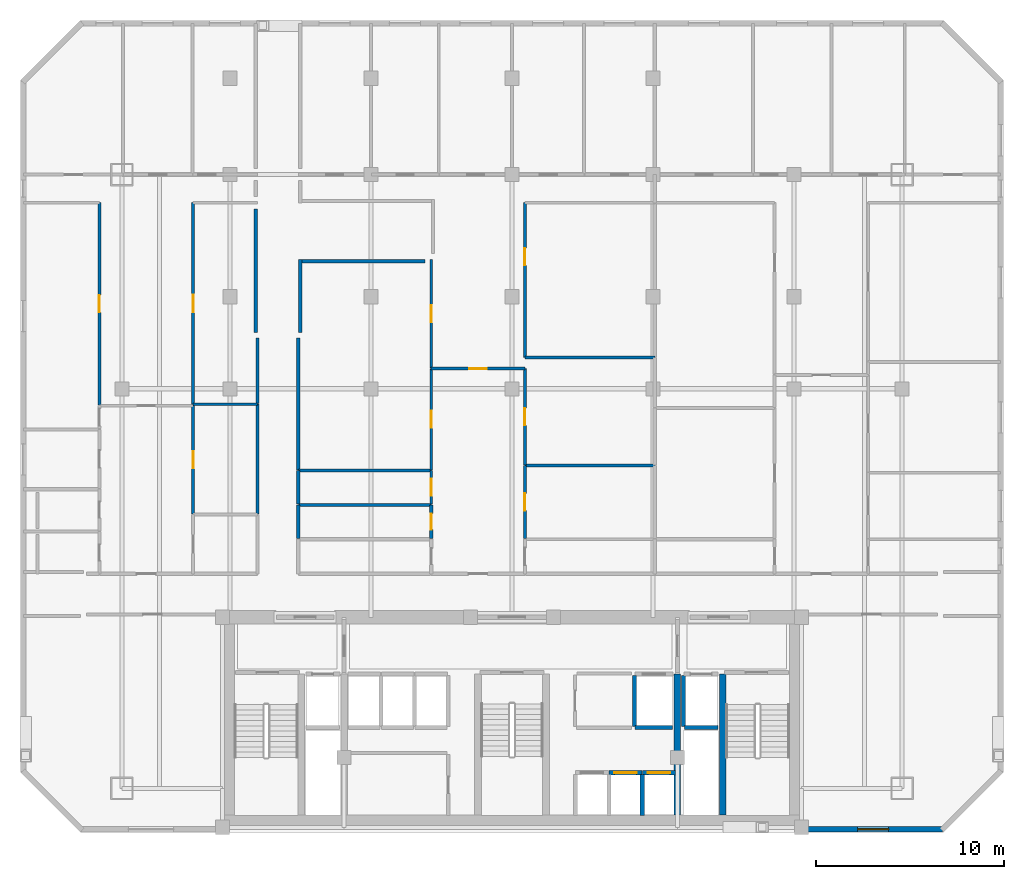
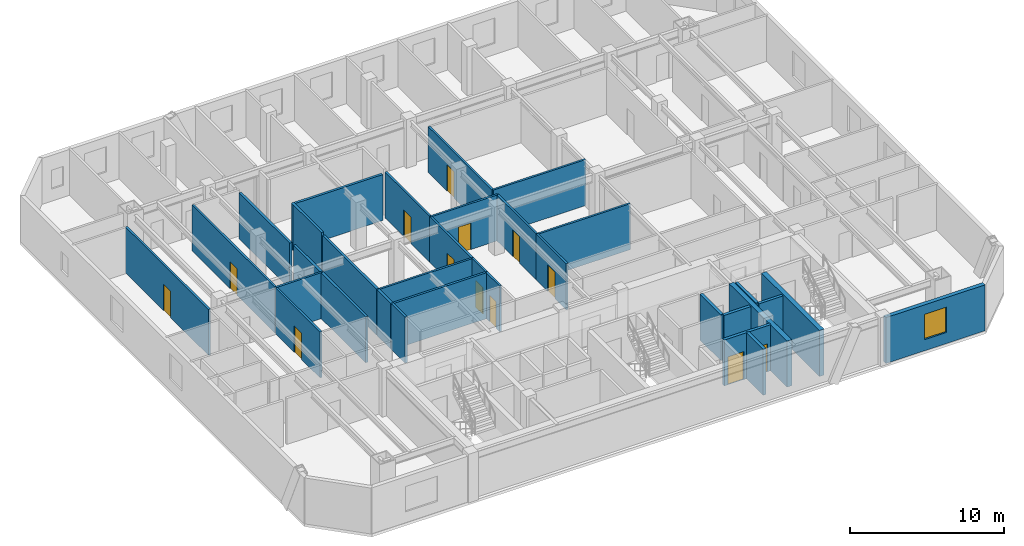
# One storey, part 4 of 8: 34 walls, 13 doors, 1 window, 14 openings.
"""IFC4 building model written with IfcOpenShell, lengths in metres."""

from ifc_helpers import new_model, si_unit, direction, frame, frame_2d, origin, place, context, subcontext, project, spatial, rectangle, extrude, material, layer, layer_set, type_object, element, fill, save


model = new_model("IFC4")

# Units and contexts
model_context = context("Model", 3, precision=1e-05, world=origin(), true_north=direction((0.0, 1.0)))
body_context = subcontext(model_context, "Body", "Model", "MODEL_VIEW")
ifc_project = project(units=[si_unit("LENGTHUNIT", "METRE"), si_unit("AREAUNIT", "SQUARE_METRE"), si_unit("VOLUMEUNIT", "CUBIC_METRE"), si_unit("PLANEANGLEUNIT", "RADIAN"), si_unit("MASSUNIT", "GRAM", prefix="KILO")], contexts=[model_context])

# Site, building, storey
site_placement = place(None, origin())
site = spatial("IfcSite", under=ifc_project, at=site_placement, CompositionType="ELEMENT")
building_placement = place(site_placement, origin())
building = spatial("IfcBuilding", under=site, at=building_placement, Name="Ventersveld Concourse Tower", CompositionType="ELEMENT")
storey_placement = place(building_placement, frame((0.0, 0.0, 149.050048828125)))
storey = spatial("IfcBuildingStorey", under=building, at=storey_placement, Name="L36", CompositionType="ELEMENT", Elevation=149.050048828125)

# Walls
ifc_material_1 = material(Name="Concrete C60/75", Category="concrete")
ifc_layer_1 = layer(ifc_material_1, 0.35009765625)
ifc_layer_set_1 = layer_set([ifc_layer_1], Name="Concrete C60/75")
wall_type_1 = type_object("IfcWallType", Name="WL-CORE-350L", PredefinedType="SHEAR", material=ifc_layer_set_1)
for number, where, z_axis, x_axis, name in (
    (1, (37.550048828125, 0.919921875, 0.0), (0.0, 0.0, 1.0), (0.0, 1.0, 0.0), "L36 Core Internal Shear Web W-SVL-W"),
    (2, (39.9599609375, 0.919921875, 0.0), (0.0, 0.0, 1.0), (0.0, 1.0, 0.0), "L36 Core Internal Shear Web W-ST2-W"),
):
    element("IfcWall", number, at=place(storey_placement, frame(where, z_axis=z_axis, x_axis=x_axis)), inside=storey, type_object=wall_type_1, Name=name, PredefinedType="SHEAR", context=body_context, shape_type="SweptSolid", body=[
        extrude(rectangle(XDim=7.5, YDim=0.35009765625, at=frame_2d((3.75, 0.0))), origin(), (0.0, 0.0, 1.0), 3.6298828125),
    ])
ifc_material_2 = material(Name="Fire-rated autoclaved aerated masonry blockwork", Category="masonry")
ifc_layer_2 = layer(ifc_material_2, 0.179931640625)
ifc_layer_set_2 = layer_set([ifc_layer_2], Name="Fire-rated autoclaved aerated masonry blockwork")
wall_type_2 = type_object("IfcWallType", Name="WL-CORR-180", PredefinedType="PARTITIONING", material=ifc_layer_set_2)
wall_1_placement = place(storey_placement, frame((15.2099609375, 16.944091796875, 0.0), z_axis=(0.0, 0.0, 1.0), x_axis=(0.0, 1.0, 0.0)))
element("IfcWall", 3, at=wall_1_placement, inside=storey, type_object=wall_type_2, Name="L36 Interior Partition SP-L36-COR-SP-L36-36NW-MEDR1", PredefinedType="PARTITIONING", context=body_context, shape_type="SweptSolid", body=[
    extrude(rectangle(XDim=5.83837890625, YDim=0.179931640625, at=frame_2d((2.919189453125, 0.0))), origin(), (0.0, 0.0, 1.0), 3.6298828125),
])
wall_2_placement = place(storey_placement, frame((15.2099609375, 22.8125, 0.0), z_axis=(0.0, 0.0, 1.0), x_axis=(0.0, 1.0, 0.0)))
element("IfcWall", 4, at=wall_2_placement, inside=storey, type_object=wall_type_2, Name="L36 Interior Partition SP-L36-COR-SP-L36-36NW-DENS", PredefinedType="PARTITIONING", context=body_context, shape_type="SweptSolid", body=[
    extrude(rectangle(XDim=3.482421875, YDim=0.179931640625, at=frame_2d((1.7412109375, 0.0))), origin(), (0.0, 0.0, 1.0), 3.6298828125),
])
wall_3_placement = place(storey_placement, frame((17.389892578125, 15.635009765625, 0.0), z_axis=(0.0, 0.0, 1.0), x_axis=(0.0, 1.0, 0.0)))
element("IfcWall", 5, at=wall_3_placement, inside=storey, type_object=wall_type_2, Name="L36 Interior Partition SP-L36-COR-SP-L36-36N1-PWDL2", PredefinedType="PARTITIONING", context=body_context, shape_type="SweptSolid", body=[
    extrude(rectangle(XDim=1.800048828125, YDim=0.179931640625, at=frame_2d((0.89990234375, 0.0))), origin(), (0.0, 0.0, 1.0), 3.6298828125),
])
wall_4_placement = place(storey_placement, frame((17.389892578125, 17.465087890625, 0.0), z_axis=(0.0, 0.0, 1.0), x_axis=(0.0, 1.0, 0.0)))
element("IfcWall", 6, at=wall_4_placement, inside=storey, type_object=wall_type_2, Name="L36 Interior Partition SP-L36-COR-SP-L36-36N1-PANL0", PredefinedType="PARTITIONING", context=body_context, shape_type="SweptSolid", body=[
    extrude(rectangle(XDim=1.7998046875, YDim=0.179931640625, at=frame_2d((0.89990234375, 0.0))), origin(), (0.0, 0.0, 1.0), 3.6298828125),
])
wall_5_placement = place(storey_placement, frame((17.389892578125, 19.294921875, 0.0), z_axis=(0.0, 0.0, 1.0), x_axis=(0.0, 1.0, 0.0)))
element("IfcWall", 7, at=wall_5_placement, inside=storey, type_object=wall_type_2, Name="L36 Interior Partition SP-L36-COR-SP-L36-36N1-DENL", PredefinedType="PARTITIONING", context=body_context, shape_type="SweptSolid", body=[
    extrude(rectangle(XDim=7.0, YDim=0.179931640625, at=frame_2d((3.5, 0.0))), origin(), (0.0, 0.0, 1.0), 3.6298828125),
])
wall_6_placement = place(storey_placement, frame((15.1201171875, 33.175048828125, 0.0), z_axis=(0.0, 0.0, 1.0), x_axis=(0.0, -1.0, 0.0)))
element("IfcWall", 8, at=wall_6_placement, inside=storey, type_object=wall_type_2, Name="L36 Room Enclosure Wall SP-L36-36NW-DENS", PredefinedType="PARTITIONING", context=body_context, shape_type="SweptSolid", body=[
    extrude(rectangle(XDim=6.565185546875, YDim=0.179931640625, at=frame_2d((3.28271484375, 0.0))), origin(), (0.0, 0.0, 1.0), 3.6298828125),
])
wall_7_placement = place(storey_placement, frame((17.385009765625, 30.38818359375, 0.0), z_axis=(0.0, 0.0, 1.0), x_axis=(1.0, 0.0, 0.0)))
element("IfcWall", 9, at=wall_7_placement, inside=storey, type_object=wall_type_2, Name="L36 Room Enclosure Wall SP-L36-36N1-DENL", PredefinedType="PARTITIONING", context=body_context, shape_type="SweptSolid", body=[
    extrude(rectangle(XDim=6.7451171875, YDim=0.179931640625, at=frame_2d((3.37255859375, 0.0))), origin(), (0.0, 0.0, 1.0), 3.6298828125),
])
wall_8_placement = place(storey_placement, frame((17.47998046875, 26.60986328125, 0.0), z_axis=(0.0, 0.0, 1.0), x_axis=(0.0, 1.0, 0.0)))
element("IfcWall", 10, at=wall_8_placement, inside=storey, type_object=wall_type_2, Name="L36 Room Enclosure Wall SP-L36-36N1-DENL", PredefinedType="PARTITIONING", context=body_context, shape_type="SweptSolid", body=[
    extrude(rectangle(XDim=3.873291015625, YDim=0.179931640625, at=frame_2d((1.9365234375, 0.0))), origin(), (0.0, 0.0, 1.0), 3.6298828125),
])
ifc_layer_3 = layer(ifc_material_2, 0.219970703125)
ifc_layer_set_3 = layer_set([ifc_layer_3], Name="Fire-rated autoclaved aerated masonry blockwork")
wall_type_3 = type_object("IfcWallType", Name="WL-HOIST-220", PredefinedType="SOLIDWALL", material=ifc_layer_set_3)
wall_9_placement = place(storey_placement, frame((37.919921875, 5.590087890625, 0.0), z_axis=(0.0, 0.0, 1.0), x_axis=(1.0, 0.0, 0.0)))
element("IfcWall", 11, at=wall_9_placement, inside=storey, type_object=wall_type_3, Name="L36 Lift Hoistway Back Wall FFL-02", PredefinedType="SOLIDWALL", context=body_context, shape_type="SweptSolid", body=[
    extrude(rectangle(XDim=1.780029296875, YDim=0.219970703125, at=frame_2d((0.89013671875, 0.0))), origin(), (0.0, 0.0, 1.0), 3.6298828125),
])
wall_10_placement = place(storey_placement, frame((37.8798828125, 5.64990234375, 0.0), z_axis=(0.0, 0.0, 1.0), x_axis=(0.0, 1.0, 0.0)))
element("IfcWall", 12, at=wall_10_placement, inside=storey, type_object=wall_type_3, Name="L36 Lift Hoistway Side Wall FFL-02W", PredefinedType="SOLIDWALL", context=body_context, shape_type="SweptSolid", body=[
    extrude(rectangle(XDim=2.7001953125, YDim=0.219970703125, at=frame_2d((1.35009765625, 0.0))), origin(), (0.0, 0.0, 1.0), 3.6298828125),
])
wall_11_placement = place(storey_placement, frame((35.300048828125, 5.590087890625, 0.0), z_axis=(0.0, 0.0, 1.0), x_axis=(1.0, 0.0, 0.0)))
element("IfcWall", 13, at=wall_11_placement, inside=storey, type_object=wall_type_3, Name="L36 Lift Hoistway Back Wall SVL-01", PredefinedType="SOLIDWALL", context=body_context, shape_type="SweptSolid", body=[
    extrude(rectangle(XDim=2.0, YDim=0.219970703125, at=frame_2d((1.0, 0.0))), origin(), (0.0, 0.0, 1.0), 3.6298828125),
])
wall_12_placement = place(storey_placement, frame((35.260009765625, 5.64990234375, 0.0), z_axis=(0.0, 0.0, 1.0), x_axis=(0.0, 1.0, 0.0)))
element("IfcWall", 14, at=wall_12_placement, inside=storey, type_object=wall_type_3, Name="L36 Lift Hoistway Side Wall SVL-01W", PredefinedType="SOLIDWALL", context=body_context, shape_type="SweptSolid", body=[
    extrude(rectangle(XDim=2.7001953125, YDim=0.219970703125, at=frame_2d((1.35009765625, 0.0))), origin(), (0.0, 0.0, 1.0), 3.6298828125),
])
wall_13_placement = place(storey_placement, frame((35.679931640625, 0.89990234375, 0.0), z_axis=(0.0, 0.0, 1.0), x_axis=(0.0, 1.0, 0.0)))
element("IfcWall", 15, at=wall_13_placement, inside=storey, type_object=wall_type_3, Name="L36 Lift Hoistway Side Wall PM-02E", PredefinedType="SOLIDWALL", context=body_context, shape_type="SweptSolid", body=[
    extrude(rectangle(XDim=2.2001953125, YDim=0.219970703125, at=frame_2d((1.10009765625, 0.0))), origin(), (0.0, 0.0, 1.0), 3.6298828125),
])

# Wall, opening, door
wall_14_placement = place(storey_placement, frame((33.919921875, 3.179931640625, 0.0), z_axis=(0.0, 0.0, 1.0), x_axis=(1.0, 0.0, 0.0)))
wall_14 = element("IfcWall", 16, at=wall_14_placement, inside=storey, type_object=wall_type_3, Name="L36 Lift Hoistway Front Wall PM-02", PredefinedType="SOLIDWALL", context=body_context, shape_type="SweptSolid", body=[
    extrude(rectangle(XDim=1.739990234375, YDim=0.219970703125, at=frame_2d((0.8701171875, 0.0))), origin(), (0.0, 0.0, 1.0), 3.6298828125),
])
opening_1_placement = place(wall_14_placement, frame((0.280029296875, 0.0, 0.0)))
opening_1 = element("IfcOpeningElement", 17, at=opening_1_placement, cuts=wall_14, Name="Opening LD2", PredefinedType="OPENING", context=body_context, shape_type="SweptSolid", body=[
    extrude(rectangle(XDim=1.179931640625, YDim=2.199951171875, at=frame_2d((0.58984375, 1.10009765625))), frame((0.0, 0.1201171875, 0.0), z_axis=(0.0, -1.0, 0.0), x_axis=(1.0, 0.0, 0.0)), (0.0, 0.0, 1.0), 0.239990234375),
])
ifc_material_3 = material(Name="Brushed stainless steel 316", Category="steel")
door_type_1 = type_object("IfcDoorType", Name="LD-PAX-118", OperationType="SLIDING_TO_LEFT", PredefinedType="DOOR", material=ifc_material_3)
door_1_placement = place(opening_1_placement, origin())
door_1 = element("IfcDoor", 18, at=door_1_placement, inside=storey, type_object=door_type_1, Name="L36 Lift landing door PM-02 (LD-L36-PM-02)", OperationType="SLIDING_TO_LEFT", OverallHeight=2.199951171875, OverallWidth=1.179931640625, PredefinedType="DOOR", context=body_context, shape_type="SweptSolid", body=[
    extrude(rectangle(XDim=1.179931640625, YDim=2.199951171875, at=frame_2d((0.58984375, 1.10009765625))), frame((0.0, 0.02490234375, 0.0), z_axis=(0.0, -1.0, 0.0), x_axis=(1.0, 0.0, 0.0)), (0.0, 0.0, 1.0), 0.050048828125),
])
fill(opening_1, door_1)

wall_15_placement = place(storey_placement, frame((35.699951171875, 3.179931640625, 0.0), z_axis=(0.0, 0.0, 1.0), x_axis=(1.0, 0.0, 0.0)))
wall_15 = element("IfcWall", 19, at=wall_15_placement, inside=storey, type_object=wall_type_3, Name="L36 Lift Hoistway Front Wall PM-03", PredefinedType="SOLIDWALL", context=body_context, shape_type="SweptSolid", body=[
    extrude(rectangle(XDim=1.739990234375, YDim=0.219970703125, at=frame_2d((0.8701171875, 0.0))), origin(), (0.0, 0.0, 1.0), 3.6298828125),
])
opening_2_placement = place(wall_15_placement, frame((0.280029296875, 0.0, 0.0)))
opening_2 = element("IfcOpeningElement", 20, at=opening_2_placement, cuts=wall_15, Name="Opening LD2", PredefinedType="OPENING", context=body_context, shape_type="SweptSolid", body=[
    extrude(rectangle(XDim=1.179931640625, YDim=2.199951171875, at=frame_2d((0.58984375, 1.10009765625))), frame((0.0, 0.1201171875, 0.0), z_axis=(0.0, -1.0, 0.0), x_axis=(1.0, 0.0, 0.0)), (0.0, 0.0, 1.0), 0.239990234375),
])
door_2_placement = place(opening_2_placement, origin())
door_2 = element("IfcDoor", 21, at=door_2_placement, inside=storey, type_object=door_type_1, Name="L36 Lift landing door PM-03 (LD-L36-PM-03)", OperationType="SLIDING_TO_RIGHT", OverallHeight=2.199951171875, OverallWidth=1.179931640625, PredefinedType="DOOR", context=body_context, shape_type="SweptSolid", body=[
    extrude(rectangle(XDim=1.179931640625, YDim=2.199951171875, at=frame_2d((0.58984375, 1.10009765625))), frame((0.0, 0.02490234375, 0.0), z_axis=(0.0, -1.0, 0.0), x_axis=(1.0, 0.0, 0.0)), (0.0, 0.0, 1.0), 0.050048828125),
])
fill(opening_2, door_2)

ifc_material_4 = material(Name="Autoclaved aerated masonry blockwork", Category="masonry")
ifc_layer_4 = layer(ifc_material_4, 0.14990234375)
ifc_layer_set_4 = layer_set([ifc_layer_4], Name="Autoclaved aerated masonry blockwork")
wall_type_4 = type_object("IfcWallType", Name="WL-INT-150", PredefinedType="PARTITIONING", material=ifc_layer_set_4)
wall_16_placement = place(storey_placement, frame((11.785888671875, 16.944091796875, 0.0), z_axis=(0.0, 0.0, 1.0), x_axis=(0.0, 1.0, 0.0)))
wall_16 = element("IfcWall", 22, at=wall_16_placement, inside=storey, type_object=wall_type_4, Name="L36 Interior Partition SP-L36-36NW-FOY-SP-L36-36NW-MEDR1", PredefinedType="PARTITIONING", context=body_context, shape_type="SweptSolid", body=[
    extrude(rectangle(XDim=5.76416015625, YDim=0.14990234375, at=frame_2d((2.882080078125, 0.0))), origin(), (0.0, 0.0, 1.0), 3.6298828125),
])
opening_3_placement = place(wall_16_placement, frame((2.422119140625, 0.0, 0.0)))
opening_3 = element("IfcOpeningElement", 23, at=opening_3_placement, cuts=wall_16, Name="Opening ID1", PredefinedType="OPENING", context=body_context, shape_type="SweptSolid", body=[
    extrude(rectangle(XDim=0.919921875, YDim=2.10009765625, at=frame_2d((0.4599609375, 1.050048828125))), frame((0.0, 0.0849609375, 0.0), z_axis=(0.0, -1.0, 0.0), x_axis=(1.0, 0.0, 0.0)), (0.0, 0.0, 1.0), 0.169921875),
])
ifc_material_5 = material(Name="Solid-core hardwood veneer timber", Category="wood")
door_type_2 = type_object("IfcDoorType", Name="DR-ROOM-092", OperationType="NOTDEFINED", PredefinedType="DOOR", material=ifc_material_5)
door_3_placement = place(opening_3_placement, origin())
door_3 = element("IfcDoor", 24, at=door_3_placement, inside=storey, type_object=door_type_2, Name="L36 Interior Door SP-L36-36NW-FOY to SP-L36-36NW-MEDR1 (D-L36-1767)", OperationType="SINGLE_SWING_LEFT", OverallHeight=2.10009765625, OverallWidth=0.919921875, PredefinedType="DOOR", context=body_context, shape_type="SweptSolid", body=[
    extrude(rectangle(XDim=0.919921875, YDim=2.10009765625, at=frame_2d((0.4599609375, 1.050048828125))), frame((0.0, 0.02490234375, 0.0), z_axis=(0.0, -1.0, 0.0), x_axis=(1.0, 0.0, 0.0)), (0.0, 0.0, 1.0), 0.050048828125),
])
fill(opening_3, door_3)

wall_17_placement = place(storey_placement, frame((6.805908203125, 22.73828125, 0.0), z_axis=(0.0, 0.0, 1.0), x_axis=(0.0, 1.0, 0.0)))
wall_17 = element("IfcWall", 25, at=wall_17_placement, inside=storey, type_object=wall_type_4, Name="L36 Interior Partition SP-L36-36NW-LIV-SP-L36-36NW-DENL", PredefinedType="PARTITIONING", context=body_context, shape_type="SweptSolid", body=[
    extrude(rectangle(XDim=10.7666015625, YDim=0.14990234375, at=frame_2d((5.38330078125, 0.0))), origin(), (0.0, 0.0, 1.0), 3.6298828125),
])
opening_4_placement = place(wall_17_placement, frame((4.92333984375, 0.0, 0.0)))
opening_4 = element("IfcOpeningElement", 26, at=opening_4_placement, cuts=wall_17, Name="Opening ID1", PredefinedType="OPENING", context=body_context, shape_type="SweptSolid", body=[
    extrude(rectangle(XDim=0.919921875, YDim=2.10009765625, at=frame_2d((0.4599609375, 1.050048828125))), frame((0.0, 0.0849609375, 0.0), z_axis=(0.0, -1.0, 0.0), x_axis=(1.0, 0.0, 0.0)), (0.0, 0.0, 1.0), 0.169921875),
])
door_4_placement = place(opening_4_placement, origin())
door_4 = element("IfcDoor", 27, at=door_4_placement, inside=storey, type_object=door_type_2, Name="L36 Interior Door SP-L36-36NW-LIV to SP-L36-36NW-DENL (D-L36-1768)", OperationType="SINGLE_SWING_RIGHT", OverallHeight=2.10009765625, OverallWidth=0.919921875, PredefinedType="DOOR", context=body_context, shape_type="SweptSolid", body=[
    extrude(rectangle(XDim=0.919921875, YDim=2.10009765625, at=frame_2d((0.4599609375, 1.050048828125))), frame((0.0, 0.02490234375, 0.0), z_axis=(0.0, -1.0, 0.0), x_axis=(1.0, 0.0, 0.0)), (0.0, 0.0, 1.0), 0.050048828125),
])
fill(opening_4, door_4)

wall_18_placement = place(storey_placement, frame((11.785888671875, 22.7724609375, 0.0), z_axis=(0.0, 0.0, 1.0), x_axis=(0.0, 1.0, 0.0)))
wall_18 = element("IfcWall", 28, at=wall_18_placement, inside=storey, type_object=wall_type_4, Name="L36 Interior Partition SP-L36-36NW-LIV-SP-L36-36NW-DENS", PredefinedType="PARTITIONING", context=body_context, shape_type="SweptSolid", body=[
    extrude(rectangle(XDim=10.732421875, YDim=0.14990234375, at=frame_2d((5.3662109375, 0.0))), origin(), (0.0, 0.0, 1.0), 3.6298828125),
])
opening_5_placement = place(wall_18_placement, frame((4.90625, 0.0, 0.0)))
opening_5 = element("IfcOpeningElement", 29, at=opening_5_placement, cuts=wall_18, Name="Opening ID1", PredefinedType="OPENING", context=body_context, shape_type="SweptSolid", body=[
    extrude(rectangle(XDim=0.919921875, YDim=2.10009765625, at=frame_2d((0.4599609375, 1.050048828125))), frame((0.0, 0.0849609375, 0.0), z_axis=(0.0, -1.0, 0.0), x_axis=(1.0, 0.0, 0.0)), (0.0, 0.0, 1.0), 0.169921875),
])
door_5_placement = place(opening_5_placement, origin())
door_5 = element("IfcDoor", 30, at=door_5_placement, inside=storey, type_object=door_type_2, Name="L36 Interior Door SP-L36-36NW-LIV to SP-L36-36NW-DENS (D-L36-1769)", OperationType="SINGLE_SWING_LEFT", OverallHeight=2.10009765625, OverallWidth=0.919921875, PredefinedType="DOOR", context=body_context, shape_type="SweptSolid", body=[
    extrude(rectangle(XDim=0.919921875, YDim=2.10009765625, at=frame_2d((0.4599609375, 1.050048828125))), frame((0.0, 0.02490234375, 0.0), z_axis=(0.0, -1.0, 0.0), x_axis=(1.0, 0.0, 0.0)), (0.0, 0.0, 1.0), 0.050048828125),
])
fill(opening_5, door_5)

# Wall
wall_19_placement = place(storey_placement, frame((11.781005859375, 22.77734375, 0.0), z_axis=(0.0, 0.0, 1.0), x_axis=(1.0, 0.0, 0.0)))
element("IfcWall", 31, at=wall_19_placement, inside=storey, type_object=wall_type_4, Name="L36 Interior Partition SP-L36-36NW-MEDR1-SP-L36-36NW-DENS", PredefinedType="PARTITIONING", context=body_context, shape_type="SweptSolid", body=[
    extrude(rectangle(XDim=3.43408203125, YDim=0.14990234375, at=frame_2d((1.717041015625, 0.0))), origin(), (0.0, 0.0, 1.0), 3.6298828125),
])

# Wall, opening, door
wall_20_placement = place(storey_placement, frame((24.4501953125, 24.67626953125, 0.0), z_axis=(0.0, 0.0, 1.0), x_axis=(1.0, 0.0, 0.0)))
wall_20 = element("IfcWall", 32, at=wall_20_placement, inside=storey, type_object=wall_type_4, Name="L36 Interior Partition SP-L36-36N1-FOY-SP-L36-36N1-LIV", PredefinedType="PARTITIONING", context=body_context, shape_type="SweptSolid", body=[
    extrude(rectangle(XDim=4.989990234375, YDim=0.14990234375, at=frame_2d((2.4951171875, 0.0))), origin(), (0.0, 0.0, 1.0), 3.6298828125),
])
opening_6_placement = place(wall_20_placement, frame((2.034912109375, 0.0, 0.0)))
opening_6 = element("IfcOpeningElement", 33, at=opening_6_placement, cuts=wall_20, Name="Opening ID1", PredefinedType="OPENING", context=body_context, shape_type="SweptSolid", body=[
    extrude(rectangle(XDim=0.919921875, YDim=2.10009765625, at=frame_2d((0.4599609375, 1.050048828125))), frame((0.0, 0.0849609375, 0.0), z_axis=(0.0, -1.0, 0.0), x_axis=(1.0, 0.0, 0.0)), (0.0, 0.0, 1.0), 0.169921875),
])
door_6_placement = place(opening_6_placement, origin())
door_6 = element("IfcDoor", 34, at=door_6_placement, inside=storey, type_object=door_type_2, Name="L36 Interior Door SP-L36-36N1-FOY to SP-L36-36N1-LIV (D-L36-1773)", OperationType="SINGLE_SWING_LEFT", OverallHeight=2.10009765625, OverallWidth=0.919921875, PredefinedType="DOOR", context=body_context, shape_type="SweptSolid", body=[
    extrude(rectangle(XDim=0.919921875, YDim=2.10009765625, at=frame_2d((0.4599609375, 1.050048828125))), frame((0.0, 0.02490234375, 0.0), z_axis=(0.0, -1.0, 0.0), x_axis=(1.0, 0.0, 0.0)), (0.0, 0.0, 1.0), 0.050048828125),
])
fill(opening_6, door_6)

wall_21_placement = place(storey_placement, frame((24.455078125, 17.465087890625, 0.0), z_axis=(0.0, 0.0, 1.0), x_axis=(0.0, 1.0, 0.0)))
wall_21 = element("IfcWall", 35, at=wall_21_placement, inside=storey, type_object=wall_type_4, Name="L36 Interior Partition SP-L36-36N1-FOY-SP-L36-36N1-PANL0", PredefinedType="PARTITIONING", context=body_context, shape_type="SweptSolid", body=[
    extrude(rectangle(XDim=1.7998046875, YDim=0.14990234375, at=frame_2d((0.89990234375, 0.0))), origin(), (0.0, 0.0, 1.0), 3.6298828125),
])
opening_7_placement = place(wall_21_placement, frame((0.43994140625, 0.0, 0.0)))
opening_7 = element("IfcOpeningElement", 36, at=opening_7_placement, cuts=wall_21, Name="Opening ID1", PredefinedType="OPENING", context=body_context, shape_type="SweptSolid", body=[
    extrude(rectangle(XDim=0.919921875, YDim=2.10009765625, at=frame_2d((0.4599609375, 1.050048828125))), frame((0.0, 0.0849609375, 0.0), z_axis=(0.0, -1.0, 0.0), x_axis=(1.0, 0.0, 0.0)), (0.0, 0.0, 1.0), 0.169921875),
])
door_7_placement = place(opening_7_placement, origin())
door_7 = element("IfcDoor", 37, at=door_7_placement, inside=storey, type_object=door_type_2, Name="L36 Interior Door SP-L36-36N1-FOY to SP-L36-36N1-PANL0 (D-L36-1776)", OperationType="SINGLE_SWING_RIGHT", OverallHeight=2.10009765625, OverallWidth=0.919921875, PredefinedType="DOOR", context=body_context, shape_type="SweptSolid", body=[
    extrude(rectangle(XDim=0.919921875, YDim=2.10009765625, at=frame_2d((0.4599609375, 1.050048828125))), frame((0.0, 0.02490234375, 0.0), z_axis=(0.0, -1.0, 0.0), x_axis=(1.0, 0.0, 0.0)), (0.0, 0.0, 1.0), 0.050048828125),
])
fill(opening_7, door_7)

wall_22_placement = place(storey_placement, frame((24.455078125, 19.294921875, 0.0), z_axis=(0.0, 0.0, 1.0), x_axis=(0.0, 1.0, 0.0)))
wall_22 = element("IfcWall", 38, at=wall_22_placement, inside=storey, type_object=wall_type_4, Name="L36 Interior Partition SP-L36-36N1-FOY-SP-L36-36N1-DENL", PredefinedType="PARTITIONING", context=body_context, shape_type="SweptSolid", body=[
    extrude(rectangle(XDim=5.38623046875, YDim=0.14990234375, at=frame_2d((2.693115234375, 0.0))), origin(), (0.0, 0.0, 1.0), 3.6298828125),
])
opening_8_placement = place(wall_22_placement, frame((2.233154296875, 0.0, 0.0)))
opening_8 = element("IfcOpeningElement", 39, at=opening_8_placement, cuts=wall_22, Name="Opening ID1", PredefinedType="OPENING", context=body_context, shape_type="SweptSolid", body=[
    extrude(rectangle(XDim=0.919921875, YDim=2.10009765625, at=frame_2d((0.4599609375, 1.050048828125))), frame((0.0, 0.0849609375, 0.0), z_axis=(0.0, -1.0, 0.0), x_axis=(1.0, 0.0, 0.0)), (0.0, 0.0, 1.0), 0.169921875),
])
door_8_placement = place(opening_8_placement, origin())
door_8 = element("IfcDoor", 40, at=door_8_placement, inside=storey, type_object=door_type_2, Name="L36 Interior Door SP-L36-36N1-FOY to SP-L36-36N1-DENL (D-L36-1777)", OperationType="SINGLE_SWING_LEFT", OverallHeight=2.10009765625, OverallWidth=0.919921875, PredefinedType="DOOR", context=body_context, shape_type="SweptSolid", body=[
    extrude(rectangle(XDim=0.919921875, YDim=2.10009765625, at=frame_2d((0.4599609375, 1.050048828125))), frame((0.0, 0.02490234375, 0.0), z_axis=(0.0, -1.0, 0.0), x_axis=(1.0, 0.0, 0.0)), (0.0, 0.0, 1.0), 0.050048828125),
])
fill(opening_8, door_8)

wall_23_placement = place(storey_placement, frame((29.435302734375, 15.635009765625, 0.0), z_axis=(0.0, 0.0, 1.0), x_axis=(0.0, 1.0, 0.0)))
wall_23 = element("IfcWall", 41, at=wall_23_placement, inside=storey, type_object=wall_type_4, Name="L36 Interior Partition SP-L36-36N1-FOY-SP-L36-36N1-SEMR1", PredefinedType="PARTITIONING", context=body_context, shape_type="SweptSolid", body=[
    extrude(rectangle(XDim=3.886474609375, YDim=0.14990234375, at=frame_2d((1.943359375, 0.0))), origin(), (0.0, 0.0, 1.0), 3.6298828125),
])
opening_9_placement = place(wall_23_placement, frame((1.4833984375, 0.0, 0.0)))
opening_9 = element("IfcOpeningElement", 42, at=opening_9_placement, cuts=wall_23, Name="Opening ID1", PredefinedType="OPENING", context=body_context, shape_type="SweptSolid", body=[
    extrude(rectangle(XDim=0.919921875, YDim=2.10009765625, at=frame_2d((0.4599609375, 1.050048828125))), frame((0.0, 0.0849609375, 0.0), z_axis=(0.0, -1.0, 0.0), x_axis=(1.0, 0.0, 0.0)), (0.0, 0.0, 1.0), 0.169921875),
])
door_9_placement = place(opening_9_placement, origin())
door_9 = element("IfcDoor", 43, at=door_9_placement, inside=storey, type_object=door_type_2, Name="L36 Interior Door SP-L36-36N1-FOY to SP-L36-36N1-SEMR1 (D-L36-1779)", OperationType="SINGLE_SWING_LEFT", OverallHeight=2.10009765625, OverallWidth=0.919921875, PredefinedType="DOOR", context=body_context, shape_type="SweptSolid", body=[
    extrude(rectangle(XDim=0.919921875, YDim=2.10009765625, at=frame_2d((0.4599609375, 1.050048828125))), frame((0.0, 0.02490234375, 0.0), z_axis=(0.0, -1.0, 0.0), x_axis=(1.0, 0.0, 0.0)), (0.0, 0.0, 1.0), 0.050048828125),
])
fill(opening_9, door_9)

wall_24_placement = place(storey_placement, frame((29.435302734375, 19.551513671875, 0.0), z_axis=(0.0, 0.0, 1.0), x_axis=(0.0, 1.0, 0.0)))
wall_24 = element("IfcWall", 44, at=wall_24_placement, inside=storey, type_object=wall_type_4, Name="L36 Interior Partition SP-L36-36N1-FOY-SP-L36-36N1-DENS", PredefinedType="PARTITIONING", context=body_context, shape_type="SweptSolid", body=[
    extrude(rectangle(XDim=5.129638671875, YDim=0.14990234375, at=frame_2d((2.56494140625, 0.0))), origin(), (0.0, 0.0, 1.0), 3.6298828125),
])
opening_10_placement = place(wall_24_placement, frame((2.104736328125, 0.0, 0.0)))
opening_10 = element("IfcOpeningElement", 45, at=opening_10_placement, cuts=wall_24, Name="Opening ID1", PredefinedType="OPENING", context=body_context, shape_type="SweptSolid", body=[
    extrude(rectangle(XDim=0.919921875, YDim=2.10009765625, at=frame_2d((0.4599609375, 1.050048828125))), frame((0.0, 0.0849609375, 0.0), z_axis=(0.0, -1.0, 0.0), x_axis=(1.0, 0.0, 0.0)), (0.0, 0.0, 1.0), 0.169921875),
])
door_10_placement = place(opening_10_placement, origin())
door_10 = element("IfcDoor", 46, at=door_10_placement, inside=storey, type_object=door_type_2, Name="L36 Interior Door SP-L36-36N1-FOY to SP-L36-36N1-DENS (D-L36-1780)", OperationType="SINGLE_SWING_RIGHT", OverallHeight=2.10009765625, OverallWidth=0.919921875, PredefinedType="DOOR", context=body_context, shape_type="SweptSolid", body=[
    extrude(rectangle(XDim=0.919921875, YDim=2.10009765625, at=frame_2d((0.4599609375, 1.050048828125))), frame((0.0, 0.02490234375, 0.0), z_axis=(0.0, -1.0, 0.0), x_axis=(1.0, 0.0, 0.0)), (0.0, 0.0, 1.0), 0.050048828125),
])
fill(opening_10, door_10)

wall_25_placement = place(storey_placement, frame((24.455078125, 24.711181640625, 0.0), z_axis=(0.0, 0.0, 1.0), x_axis=(0.0, 1.0, 0.0)))
wall_25 = element("IfcWall", 47, at=wall_25_placement, inside=storey, type_object=wall_type_4, Name="L36 Interior Partition SP-L36-36N1-LIV-SP-L36-36N1-DENL", PredefinedType="PARTITIONING", context=body_context, shape_type="SweptSolid", body=[
    extrude(rectangle(XDim=5.77197265625, YDim=0.14990234375, at=frame_2d((2.885986328125, 0.0))), origin(), (0.0, 0.0, 1.0), 3.6298828125),
])
opening_11_placement = place(wall_25_placement, frame((2.426025390625, 0.0, 0.0)))
opening_11 = element("IfcOpeningElement", 48, at=opening_11_placement, cuts=wall_25, Name="Opening ID1", PredefinedType="OPENING", context=body_context, shape_type="SweptSolid", body=[
    extrude(rectangle(XDim=0.919921875, YDim=2.10009765625, at=frame_2d((0.4599609375, 1.050048828125))), frame((0.0, 0.0849609375, 0.0), z_axis=(0.0, -1.0, 0.0), x_axis=(1.0, 0.0, 0.0)), (0.0, 0.0, 1.0), 0.169921875),
])
door_11_placement = place(opening_11_placement, origin())
door_11 = element("IfcDoor", 49, at=door_11_placement, inside=storey, type_object=door_type_2, Name="L36 Interior Door SP-L36-36N1-LIV to SP-L36-36N1-DENL (D-L36-1781)", OperationType="SINGLE_SWING_LEFT", OverallHeight=2.10009765625, OverallWidth=0.919921875, PredefinedType="DOOR", context=body_context, shape_type="SweptSolid", body=[
    extrude(rectangle(XDim=0.919921875, YDim=2.10009765625, at=frame_2d((0.4599609375, 1.050048828125))), frame((0.0, 0.02490234375, 0.0), z_axis=(0.0, -1.0, 0.0), x_axis=(1.0, 0.0, 0.0)), (0.0, 0.0, 1.0), 0.050048828125),
])
fill(opening_11, door_11)

wall_26_placement = place(storey_placement, frame((29.435302734375, 25.26708984375, 0.0), z_axis=(0.0, 0.0, 1.0), x_axis=(0.0, 1.0, 0.0)))
wall_26 = element("IfcWall", 50, at=wall_26_placement, inside=storey, type_object=wall_type_4, Name="L36 Interior Partition SP-L36-36N1-LIV-SP-L36-36N1-DENS2", PredefinedType="PARTITIONING", context=body_context, shape_type="SweptSolid", body=[
    extrude(rectangle(XDim=8.23779296875, YDim=0.14990234375, at=frame_2d((4.118896484375, 0.0))), origin(), (0.0, 0.0, 1.0), 3.6298828125),
])
opening_12_placement = place(wall_26_placement, frame((4.89453125, 0.0, 0.0)))
opening_12 = element("IfcOpeningElement", 51, at=opening_12_placement, cuts=wall_26, Name="Opening ID1", PredefinedType="OPENING", context=body_context, shape_type="SweptSolid", body=[
    extrude(rectangle(XDim=0.919921875, YDim=2.10009765625, at=frame_2d((0.4599609375, 1.050048828125))), frame((0.0, 0.0849609375, 0.0), z_axis=(0.0, -1.0, 0.0), x_axis=(1.0, 0.0, 0.0)), (0.0, 0.0, 1.0), 0.169921875),
])
door_12_placement = place(opening_12_placement, origin())
door_12 = element("IfcDoor", 52, at=door_12_placement, inside=storey, type_object=door_type_2, Name="L36 Interior Door SP-L36-36N1-LIV to SP-L36-36N1-DENS2 (D-L36-1782)", OperationType="SINGLE_SWING_RIGHT", OverallHeight=2.10009765625, OverallWidth=0.919921875, PredefinedType="DOOR", context=body_context, shape_type="SweptSolid", body=[
    extrude(rectangle(XDim=0.919921875, YDim=2.10009765625, at=frame_2d((0.4599609375, 1.050048828125))), frame((0.0, 0.02490234375, 0.0), z_axis=(0.0, -1.0, 0.0), x_axis=(1.0, 0.0, 0.0)), (0.0, 0.0, 1.0), 0.050048828125),
])
fill(opening_12, door_12)

# Walls
wall_27_placement = place(storey_placement, frame((17.385009765625, 19.260009765625, 0.0), z_axis=(0.0, 0.0, 1.0), x_axis=(1.0, 0.0, 0.0)))
element("IfcWall", 53, at=wall_27_placement, inside=storey, type_object=wall_type_4, Name="L36 Interior Partition SP-L36-36N1-PANL0-SP-L36-36N1-DENL", PredefinedType="PARTITIONING", context=body_context, shape_type="SweptSolid", body=[
    extrude(rectangle(XDim=7.0751953125, YDim=0.14990234375, at=frame_2d((3.53759765625, 0.0))), origin(), (0.0, 0.0, 1.0), 3.6298828125),
])
for number, where, z_axis, x_axis, name in (
    (54, (29.43017578125, 19.5166015625, 0.0), (0.0, 0.0, 1.0), (1.0, 0.0, 0.0), "L36 Interior Partition SP-L36-36N1-SEMR1-SP-L36-36N1-DENS"),
    (55, (29.43017578125, 25.272216796875, 0.0), (0.0, 0.0, 1.0), (1.0, 0.0, 0.0), "L36 Interior Partition SP-L36-36N1-DENS-SP-L36-36N1-DENS2"),
):
    element("IfcWall", number, at=place(storey_placement, frame(where, z_axis=z_axis, x_axis=x_axis)), inside=storey, type_object=wall_type_4, Name=name, PredefinedType="PARTITIONING", context=body_context, shape_type="SweptSolid", body=[
        extrude(rectangle(XDim=6.9189453125, YDim=0.14990234375, at=frame_2d((3.45947265625, 0.0))), origin(), (0.0, 0.0, 1.0), 3.6298828125),
    ])

# Wall, opening, window
ifc_material_6 = material(Name="Precast concrete C45/55", Category="concrete")
ifc_layer_5 = layer(ifc_material_6, 0.300048828125)
ifc_layer_set_5 = layer_set([ifc_layer_5], Name="Precast concrete C45/55")
wall_type_5 = type_object("IfcWallType", Name="WL-PREC-300", PredefinedType="SOLIDWALL", material=ifc_layer_set_5)
wall_28_placement = place(storey_placement, frame((44.25, 0.179931640625, 0.0), z_axis=(0.0, 0.0, 1.0), x_axis=(1.0, 0.0, 0.0)))
wall_28 = element("IfcWall", 56, at=wall_28_placement, inside=storey, type_object=wall_type_5, Name="L36 South-East Flank Precast Wall", PredefinedType="SOLIDWALL", context=body_context, shape_type="SweptSolid", body=[
    extrude(rectangle(XDim=7.409912109375, YDim=0.300048828125, at=frame_2d((3.705078125, 0.0))), origin(), (0.0, 0.0, 1.0), 3.6298828125),
])
opening_13_placement = place(wall_28_placement, frame((2.8798828125, 0.0, 0.8798828125)))
opening_13 = element("IfcOpeningElement", 57, at=opening_13_placement, cuts=wall_28, Name="Opening W6", PredefinedType="OPENING", context=body_context, shape_type="SweptSolid", body=[
    extrude(rectangle(XDim=1.64990234375, YDim=2.0, at=frame_2d((0.824951171875, 1.0))), frame((0.0, 0.16015625, 0.0), z_axis=(0.0, -1.0, 0.0), x_axis=(1.0, 0.0, 0.0)), (0.0, 0.0, 1.0), 0.320068359375),
])
ifc_material_7 = material(Name="Tempered acoustic Low-E IGU", Category="glass")
window_type = type_object("IfcWindowType", Name="WIN-165x200", PartitioningType="SINGLE_PANEL", PredefinedType="WINDOW", material=ifc_material_7)
window_placement = place(opening_13_placement, origin())
window = element("IfcWindow", 58, at=window_placement, inside=storey, type_object=window_type, Name="L36 Punched Low-E Window W-0462", OverallHeight=2.0, OverallWidth=1.64990234375, PartitioningType="SINGLE_PANEL", PredefinedType="WINDOW", context=body_context, shape_type="SweptSolid", body=[
    extrude(rectangle(XDim=1.64990234375, YDim=2.0, at=frame_2d((0.824951171875, 1.0))), frame((0.0, 0.030029296875, 0.0), z_axis=(0.0, -1.0, 0.0), x_axis=(1.0, 0.0, 0.0)), (0.0, 0.0, 1.0), 0.06005859375),
])
fill(opening_13, window)

# Wall, opening, door
ifc_layer_6 = layer(ifc_material_4, 0.1650390625)
ifc_layer_set_6 = layer_set([ifc_layer_6], Name="Autoclaved aerated masonry blockwork")
wall_type_6 = type_object("IfcWallType", Name="WL-WET-165", PredefinedType="PLUMBINGWALL", material=ifc_layer_set_6)
wall_29_placement = place(storey_placement, frame((24.455078125, 15.635009765625, 0.0), z_axis=(0.0, 0.0, 1.0), x_axis=(0.0, 1.0, 0.0)))
wall_29 = element("IfcWall", 59, at=wall_29_placement, inside=storey, type_object=wall_type_6, Name="L36 Interior Partition SP-L36-36N1-FOY-SP-L36-36N1-PWDL2", PredefinedType="PLUMBINGWALL", context=body_context, shape_type="SweptSolid", body=[
    extrude(rectangle(XDim=1.800048828125, YDim=0.1650390625, at=frame_2d((0.89990234375, 0.0))), origin(), (0.0, 0.0, 1.0), 3.6298828125),
])
opening_14_placement = place(wall_29_placement, frame((0.47509765625, 0.0, 0.0)))
opening_14 = element("IfcOpeningElement", 60, at=opening_14_placement, cuts=wall_29, Name="Opening ID2", PredefinedType="OPENING", context=body_context, shape_type="SweptSolid", body=[
    extrude(rectangle(XDim=0.85009765625, YDim=2.10009765625, at=frame_2d((0.425048828125, 1.050048828125))), frame((0.0, 0.092529296875, 0.0), z_axis=(0.0, -1.0, 0.0), x_axis=(1.0, 0.0, 0.0)), (0.0, 0.0, 1.0), 0.18505859375),
])
door_type_3 = type_object("IfcDoorType", Name="DR-BATH-085", OperationType="NOTDEFINED", PredefinedType="DOOR", material=ifc_material_5)
door_13_placement = place(opening_14_placement, origin())
door_13 = element("IfcDoor", 61, at=door_13_placement, inside=storey, type_object=door_type_3, Name="L36 Interior Door SP-L36-36N1-FOY to SP-L36-36N1-PWDL2 (D-L36-1775)", OperationType="SINGLE_SWING_LEFT", OverallHeight=2.10009765625, OverallWidth=0.85009765625, PredefinedType="DOOR", context=body_context, shape_type="SweptSolid", body=[
    extrude(rectangle(XDim=0.85009765625, YDim=2.10009765625, at=frame_2d((0.425048828125, 1.050048828125))), frame((0.0, 0.02490234375, 0.0), z_axis=(0.0, -1.0, 0.0), x_axis=(1.0, 0.0, 0.0)), (0.0, 0.0, 1.0), 0.050048828125),
])
fill(opening_14, door_13)

# Wall
wall_30_placement = place(storey_placement, frame((17.385009765625, 17.429931640625, 0.0), z_axis=(0.0, 0.0, 1.0), x_axis=(1.0, 0.0, 0.0)))
element("IfcWall", 62, at=wall_30_placement, inside=storey, type_object=wall_type_6, Name="L36 Interior Partition SP-L36-36N1-PWDL2-SP-L36-36N1-PANL0", PredefinedType="PLUMBINGWALL", context=body_context, shape_type="SweptSolid", body=[
    extrude(rectangle(XDim=7.0751953125, YDim=0.1650390625, at=frame_2d((3.53759765625, 0.0))), origin(), (0.0, 0.0, 1.0), 3.6298828125),
])

save(model, "model.ifc")
